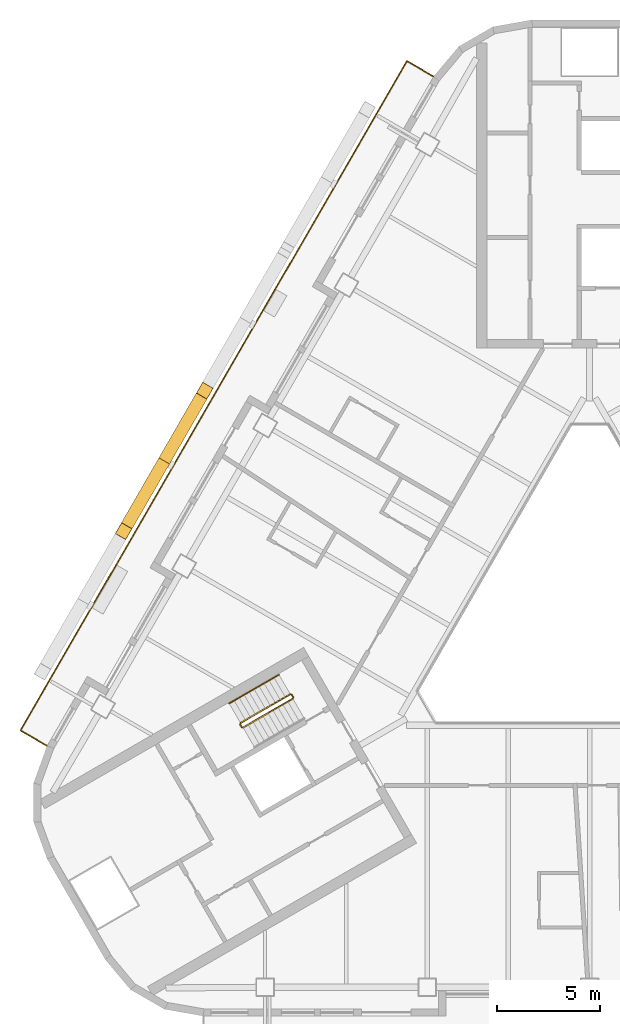
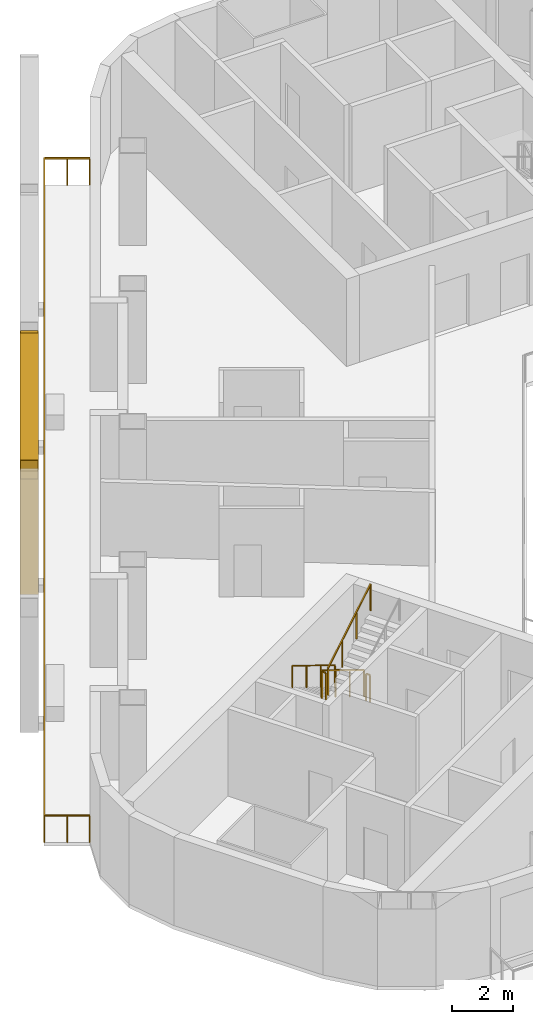
# One storey, part 10 of 14: 6 railings, 2 shading devices.
"""IFC4 building model written with IfcOpenShell, lengths in metres."""

from ifc_helpers import new_model, si_unit, direction, frame, origin, origin_2d, place, context, subcontext, project, spatial, rectangle, hollow_rectangle, circle, extrude, material, material_profile, profile_set, type_object, element, save


model = new_model("IFC4")

# Units and contexts
model_context = context("Model", 3, precision=1e-05, world=origin(), true_north=direction((0.0, 1.0)))
body_context = subcontext(model_context, "Body", "Model", "MODEL_VIEW")
ifc_project = project(units=[si_unit("LENGTHUNIT", "METRE"), si_unit("AREAUNIT", "SQUARE_METRE"), si_unit("VOLUMEUNIT", "CUBIC_METRE"), si_unit("PLANEANGLEUNIT", "RADIAN"), si_unit("MASSUNIT", "GRAM", prefix="KILO")], contexts=[model_context])

# Site, building, storey
site_placement = place(None, origin())
site = spatial("IfcSite", under=ifc_project, at=site_placement, CompositionType="ELEMENT")
building_placement = place(site_placement, origin())
building = spatial("IfcBuilding", under=site, at=building_placement, Name="Apuvela Tower Hotel", CompositionType="ELEMENT")
storey_placement = place(building_placement, frame((0.0, 0.0, 113.10009765625)))
storey = spatial("IfcBuildingStorey", under=building, at=storey_placement, Name="L26", CompositionType="ELEMENT", Elevation=113.10009765625)

# Railings
ifc_material_1 = material(Name="Steel S275 balustrade", Category="steel")
railing_type_1 = type_object("IfcRailingType", Name="COR-GUARD-1100", PredefinedType="GUARDRAIL", material=ifc_material_1)
railing_1_placement = place(storey_placement, frame((-14.569091796875, -3.9658203125, 0.16796875)))
element("IfcRailing", 1, at=railing_1_placement, inside=storey, type_object=railing_type_1, Name="L26 ST2 stair guard 1", PredefinedType="GUARDRAIL", context=body_context, shape_type="SweptSolid", body=[
    extrude(rectangle(XDim=0.048095703125, YDim=0.048095703125, at=origin_2d()), frame((0.0, 0.0, 1.076171875), z_axis=(-0.742390482028, -0.42860119049, 0.514934356695), x_axis=(0.49998411664, -0.866034573852, 0.0)), (0.0, 0.0, 1.0), 3.26611328125),
    extrude(rectangle(XDim=0.0419921875, YDim=0.0419921875, at=origin_2d()), origin(), (0.0, 0.0, 1.0), 1.052001953125),
    extrude(rectangle(XDim=0.0419921875, YDim=0.0419921875, at=origin_2d()), frame((-0.808349609375, -0.466552734375, 0.560546875)), (0.0, 0.0, 1.0), 1.052001953125),
    extrude(rectangle(XDim=0.0419921875, YDim=0.0419921875, at=origin_2d()), frame((-1.616455078125, -0.933349609375, 1.121337890625)), (0.0, 0.0, 1.0), 1.052001953125),
    extrude(rectangle(XDim=0.0419921875, YDim=0.0419921875, at=origin_2d()), frame((-2.4248046875, -1.39990234375, 1.681884765625)), (0.0, 0.0, 1.0), 1.052001953125),
])
railing_2_placement = place(storey_placement, frame((-17.01220703125, -5.43408203125, 1.849853515625)))
element("IfcRailing", 2, at=railing_2_placement, inside=storey, type_object=railing_type_1, Name="L26 ST2 stair guard 2", PredefinedType="GUARDRAIL", context=body_context, shape_type="SweptSolid", body=[
    extrude(rectangle(XDim=0.048095703125, YDim=0.048095703125, at=origin_2d()), frame((0.0, 0.0, 1.076171875), z_axis=(0.499816412211, -0.866131372301, 0.0), x_axis=(0.866131372301, 0.499816412211, 0.0)), (0.0, 0.0, 1.0), 0.14990234375),
    extrude(rectangle(XDim=0.0419921875, YDim=0.0419921875, at=origin_2d()), origin(), (0.0, 0.0, 1.0), 1.052001953125),
    extrude(rectangle(XDim=0.0419921875, YDim=0.0419921875, at=origin_2d()), frame((0.074951171875, -0.1298828125, 0.0)), (0.0, 0.0, 1.0), 1.052001953125),
])
railing_3_placement = place(storey_placement, frame((-16.868896484375, -5.582275390625, 2.01806640625)))
element("IfcRailing", 3, at=railing_3_placement, inside=storey, type_object=railing_type_1, Name="L26 ST2 stair guard 3", PredefinedType="GUARDRAIL", context=body_context, shape_type="SweptSolid", body=[
    extrude(rectangle(XDim=0.048095703125, YDim=0.048095703125, at=origin_2d()), frame((0.0, 0.0, 1.076171875), z_axis=(0.742390482028, 0.42860119049, 0.514934356695), x_axis=(-0.49998411664, 0.866034573852, 0.0)), (0.0, 0.0, 1.0), 3.26611328125),
    extrude(rectangle(XDim=0.0419921875, YDim=0.0419921875, at=origin_2d()), origin(), (0.0, 0.0, 1.0), 1.052001953125),
    extrude(rectangle(XDim=0.0419921875, YDim=0.0419921875, at=origin_2d()), frame((0.808349609375, 0.466552734375, 0.560546875)), (0.0, 0.0, 1.0), 1.052001953125),
    extrude(rectangle(XDim=0.0419921875, YDim=0.0419921875, at=origin_2d()), frame((1.616455078125, 0.933349609375, 1.121337890625)), (0.0, 0.0, 1.0), 1.052001953125),
    extrude(rectangle(XDim=0.0419921875, YDim=0.0419921875, at=origin_2d()), frame((2.4248046875, 1.39990234375, 1.681884765625)), (0.0, 0.0, 1.0), 1.052001953125),
])
railing_4_placement = place(storey_placement, frame((-14.500732421875, -3.984130859375, 0.0)))
element("IfcRailing", 4, at=railing_4_placement, inside=storey, type_object=railing_type_1, Name="L26 ST2 stair guard 4", PredefinedType="GUARDRAIL", context=body_context, shape_type="SweptSolid", body=[
    extrude(rectangle(XDim=0.048095703125, YDim=0.048095703125, at=origin_2d()), frame((0.0, 0.0, 1.076171875), z_axis=(0.499816412211, -0.866131372301, 0.0), x_axis=(0.866131372301, 0.499816412211, 0.0)), (0.0, 0.0, 1.0), 0.14990234375),
    extrude(rectangle(XDim=0.0419921875, YDim=0.0419921875, at=origin_2d()), origin(), (0.0, 0.0, 1.0), 1.052001953125),
    extrude(rectangle(XDim=0.0419921875, YDim=0.0419921875, at=origin_2d()), frame((0.074951171875, -0.1298828125, 0.0)), (0.0, 0.0, 1.0), 1.052001953125),
])
ifc_material_2 = material(Name="Stainless steel 316 handrail", Category="steel")
railing_type_2 = type_object("IfcRailingType", Name="COR-HANDRAIL-900", PredefinedType="HANDRAIL", material=ifc_material_2)
railing_5_placement = place(storey_placement, frame((-15.118896484375, -3.01318359375, 0.16796875)))
element("IfcRailing", 5, at=railing_5_placement, inside=storey, type_object=railing_type_2, Name="L26 ST2 stair handrail 1", PredefinedType="HANDRAIL", context=body_context, shape_type="SweptSolid", body=[
    extrude(circle(Radius=0.02392578125, at=origin_2d()), frame((0.0, 0.0, 0.8759765625), z_axis=(-0.742424030051, -0.428577407461, 0.514905783049), x_axis=(0.49994636267, -0.866056369097, 0.0)), (0.0, 0.0, 1.0), 3.266357421875),
    extrude(rectangle(XDim=0.0419921875, YDim=0.0419921875, at=origin_2d()), origin(), (0.0, 0.0, 1.0), 0.851806640625),
    extrude(rectangle(XDim=0.0419921875, YDim=0.0419921875, at=origin_2d()), frame((-0.808349609375, -0.466552734375, 0.560546875)), (0.0, 0.0, 1.0), 0.851806640625),
    extrude(rectangle(XDim=0.0419921875, YDim=0.0419921875, at=origin_2d()), frame((-1.61669921875, -0.933349609375, 1.121337890625)), (0.0, 0.0, 1.0), 0.851806640625),
    extrude(rectangle(XDim=0.0419921875, YDim=0.0419921875, at=origin_2d()), frame((-2.425048828125, -1.39990234375, 1.681884765625)), (0.0, 0.0, 1.0), 0.851806640625),
])

# Shading devices
ifc_material_3 = material(Name="Aluminium 6063-T6, black anodised", Category="aluminium")
ifc_material_profile = material_profile(ifc_material_3, hollow_rectangle(XDim=0.60009765625, YDim=0.699951171875, WallThickness=0.011962890625, at=origin_2d()), Name="AL BOX 700x600x12")
ifc_profile_set = profile_set([ifc_material_profile], Name="Aluminium 6063-T6, black anodised")
shading_device_type = type_object("IfcShadingDeviceType", Name="ENV-FIN-700x600", PredefinedType="USERDEFINED", material=ifc_profile_set)
shading_device_1_placement = place(storey_placement, frame((-20.70703125, 7.394287109375, -0.10009765625), z_axis=(0.235436388043, 0.407800622186, 0.882195193667), x_axis=(-0.866032218625, 0.499988196164, 0.0)))
element("IfcShadingDevice", 6, at=shading_device_1_placement, inside=storey, type_object=shading_device_type, Name="Lattice fin NW269", ObjectType="FIN", PredefinedType="USERDEFINED", context=body_context, shape_type="SweptSolid", body=[
    extrude(hollow_rectangle(XDim=0.60009765625, YDim=0.699951171875, WallThickness=0.011962890625, at=origin_2d()), origin(), (0.0, 0.0, 1.0), 8.387939453125),
])
shading_device_2_placement = place(storey_placement, frame((-20.70703125, 7.394287109375, -0.10009765625), z_axis=(-0.235461085354, -0.407822092458, 0.882178677019), x_axis=(0.866020906874, -0.500007788796, 0.0)))
element("IfcShadingDevice", 7, at=shading_device_2_placement, inside=storey, type_object=shading_device_type, Name="Lattice fin NW270", ObjectType="FIN", PredefinedType="USERDEFINED", context=body_context, shape_type="SweptSolid", body=[
    extrude(hollow_rectangle(XDim=0.60009765625, YDim=0.699951171875, WallThickness=0.011962890625, at=origin_2d()), origin(), (0.0, 0.0, 1.0), 8.38818359375),
])

# Railing
ifc_material_4 = material(Name="Stainless steel 316 rail with laminated glass infill", Category="steel")
railing_type_3 = type_object("IfcRailingType", Name="ENV-GUARD-1100", PredefinedType="GUARDRAIL", material=ifc_material_4)
railing_6_placement = place(storey_placement, frame((-7.59228515625, 26.110107421875, 0.0)))
element("IfcRailing", 8, at=railing_6_placement, inside=storey, type_object=railing_type_3, Name="Balcony guard NW L26", PredefinedType="GUARDRAIL", context=body_context, shape_type="SweptSolid", body=[
    extrude(rectangle(XDim=0.050048828125, YDim=0.050048828125, at=origin_2d()), frame((0.0, 0.0, 1.0751953125), z_axis=(-0.86599040064, 0.500060622324, 0.0), x_axis=(-0.500060622324, -0.86599040064, 0.0)), (0.0, 0.0, 1.0), 1.499755859375),
    extrude(rectangle(XDim=0.050048828125, YDim=0.050048828125, at=origin_2d()), frame((-1.298828125, 0.75, 1.0751953125), z_axis=(-0.500000437506, -0.86602515119, 0.0), x_axis=(0.86602515119, -0.500000437506, 0.0)), (0.0, 0.0, 1.0), 37.6318359375),
    extrude(rectangle(XDim=0.050048828125, YDim=0.050048828125, at=origin_2d()), frame((-20.11474609375, -31.840087890625, 1.0751953125), z_axis=(0.866031096941, -0.499990139034, 0.0), x_axis=(0.499990139034, 0.866031096941, 0.0)), (0.0, 0.0, 1.0), 1.5),
    extrude(rectangle(XDim=0.0400390625, YDim=0.0400390625, at=origin_2d()), origin(), (0.0, 0.0, 1.0), 1.050048828125),
    extrude(rectangle(XDim=0.0400390625, YDim=0.0400390625, at=origin_2d()), frame((-0.6494140625, 0.375, 0.0)), (0.0, 0.0, 1.0), 1.050048828125),
    extrude(rectangle(XDim=0.0400390625, YDim=0.0400390625, at=origin_2d()), frame((-1.298828125, 0.75, 0.0)), (0.0, 0.0, 1.0), 1.050048828125),
    extrude(rectangle(XDim=0.0400390625, YDim=0.0400390625, at=origin_2d()), frame((-1.88671875, -0.2685546875, 0.0)), (0.0, 0.0, 1.0), 1.050048828125),
    extrude(rectangle(XDim=0.0400390625, YDim=0.0400390625, at=origin_2d()), frame((-2.474853515625, -1.286865234375, 0.0)), (0.0, 0.0, 1.0), 1.050048828125),
    extrude(rectangle(XDim=0.0400390625, YDim=0.0400390625, at=origin_2d()), frame((-3.062744140625, -2.305419921875, 0.0)), (0.0, 0.0, 1.0), 1.050048828125),
    extrude(rectangle(XDim=0.0400390625, YDim=0.0400390625, at=origin_2d()), frame((-3.65087890625, -3.32373046875, 0.0)), (0.0, 0.0, 1.0), 1.050048828125),
    extrude(rectangle(XDim=0.0400390625, YDim=0.0400390625, at=origin_2d()), frame((-4.23876953125, -4.34228515625, 0.0)), (0.0, 0.0, 1.0), 1.050048828125),
    extrude(rectangle(XDim=0.0400390625, YDim=0.0400390625, at=origin_2d()), frame((-4.826904296875, -5.360595703125, 0.0)), (0.0, 0.0, 1.0), 1.050048828125),
    extrude(rectangle(XDim=0.0400390625, YDim=0.0400390625, at=origin_2d()), frame((-5.414794921875, -6.379150390625, 0.0)), (0.0, 0.0, 1.0), 1.050048828125),
    extrude(rectangle(XDim=0.0400390625, YDim=0.0400390625, at=origin_2d()), frame((-6.0029296875, -7.3974609375, 0.0)), (0.0, 0.0, 1.0), 1.050048828125),
    extrude(rectangle(XDim=0.0400390625, YDim=0.0400390625, at=origin_2d()), frame((-6.5908203125, -8.416015625, 0.0)), (0.0, 0.0, 1.0), 1.050048828125),
    extrude(rectangle(XDim=0.0400390625, YDim=0.0400390625, at=origin_2d()), frame((-7.1787109375, -9.434326171875, 0.0)), (0.0, 0.0, 1.0), 1.050048828125),
    extrude(rectangle(XDim=0.0400390625, YDim=0.0400390625, at=origin_2d()), frame((-7.766845703125, -10.452880859375, 0.0)), (0.0, 0.0, 1.0), 1.050048828125),
    extrude(rectangle(XDim=0.0400390625, YDim=0.0400390625, at=origin_2d()), frame((-8.354736328125, -11.47119140625, 0.0)), (0.0, 0.0, 1.0), 1.050048828125),
    extrude(rectangle(XDim=0.0400390625, YDim=0.0400390625, at=origin_2d()), frame((-8.94287109375, -12.48974609375, 0.0)), (0.0, 0.0, 1.0), 1.050048828125),
    extrude(rectangle(XDim=0.0400390625, YDim=0.0400390625, at=origin_2d()), frame((-9.53076171875, -13.508056640625, 0.0)), (0.0, 0.0, 1.0), 1.050048828125),
    extrude(rectangle(XDim=0.0400390625, YDim=0.0400390625, at=origin_2d()), frame((-10.118896484375, -14.526611328125, 0.0)), (0.0, 0.0, 1.0), 1.050048828125),
    extrude(rectangle(XDim=0.0400390625, YDim=0.0400390625, at=origin_2d()), frame((-10.706787109375, -15.544921875, 0.0)), (0.0, 0.0, 1.0), 1.050048828125),
    extrude(rectangle(XDim=0.0400390625, YDim=0.0400390625, at=origin_2d()), frame((-11.294677734375, -16.5634765625, 0.0)), (0.0, 0.0, 1.0), 1.050048828125),
    extrude(rectangle(XDim=0.0400390625, YDim=0.0400390625, at=origin_2d()), frame((-11.8828125, -17.58203125, 0.0)), (0.0, 0.0, 1.0), 1.050048828125),
    extrude(rectangle(XDim=0.0400390625, YDim=0.0400390625, at=origin_2d()), frame((-12.470703125, -18.600341796875, 0.0)), (0.0, 0.0, 1.0), 1.050048828125),
    extrude(rectangle(XDim=0.0400390625, YDim=0.0400390625, at=origin_2d()), frame((-13.058837890625, -19.618896484375, 0.0)), (0.0, 0.0, 1.0), 1.050048828125),
    extrude(rectangle(XDim=0.0400390625, YDim=0.0400390625, at=origin_2d()), frame((-13.646728515625, -20.63720703125, 0.0)), (0.0, 0.0, 1.0), 1.050048828125),
    extrude(rectangle(XDim=0.0400390625, YDim=0.0400390625, at=origin_2d()), frame((-14.23486328125, -21.65576171875, 0.0)), (0.0, 0.0, 1.0), 1.050048828125),
    extrude(rectangle(XDim=0.0400390625, YDim=0.0400390625, at=origin_2d()), frame((-14.82275390625, -22.674072265625, 0.0)), (0.0, 0.0, 1.0), 1.050048828125),
    extrude(rectangle(XDim=0.0400390625, YDim=0.0400390625, at=origin_2d()), frame((-15.41064453125, -23.692626953125, 0.0)), (0.0, 0.0, 1.0), 1.050048828125),
    extrude(rectangle(XDim=0.0400390625, YDim=0.0400390625, at=origin_2d()), frame((-15.998779296875, -24.7109375, 0.0)), (0.0, 0.0, 1.0), 1.050048828125),
    extrude(rectangle(XDim=0.0400390625, YDim=0.0400390625, at=origin_2d()), frame((-16.586669921875, -25.7294921875, 0.0)), (0.0, 0.0, 1.0), 1.050048828125),
    extrude(rectangle(XDim=0.0400390625, YDim=0.0400390625, at=origin_2d()), frame((-17.1748046875, -26.747802734375, 0.0)), (0.0, 0.0, 1.0), 1.050048828125),
    extrude(rectangle(XDim=0.0400390625, YDim=0.0400390625, at=origin_2d()), frame((-17.7626953125, -27.766357421875, 0.0)), (0.0, 0.0, 1.0), 1.050048828125),
    extrude(rectangle(XDim=0.0400390625, YDim=0.0400390625, at=origin_2d()), frame((-18.350830078125, -28.78466796875, 0.0)), (0.0, 0.0, 1.0), 1.050048828125),
    extrude(rectangle(XDim=0.0400390625, YDim=0.0400390625, at=origin_2d()), frame((-18.938720703125, -29.80322265625, 0.0)), (0.0, 0.0, 1.0), 1.050048828125),
    extrude(rectangle(XDim=0.0400390625, YDim=0.0400390625, at=origin_2d()), frame((-19.52685546875, -30.821533203125, 0.0)), (0.0, 0.0, 1.0), 1.050048828125),
    extrude(rectangle(XDim=0.0400390625, YDim=0.0400390625, at=origin_2d()), frame((-20.11474609375, -31.840087890625, 0.0)), (0.0, 0.0, 1.0), 1.050048828125),
    extrude(rectangle(XDim=0.0400390625, YDim=0.0400390625, at=origin_2d()), frame((-19.46533203125, -32.215087890625, 0.0)), (0.0, 0.0, 1.0), 1.050048828125),
    extrude(rectangle(XDim=0.0400390625, YDim=0.0400390625, at=origin_2d()), frame((-18.815673828125, -32.590087890625, 0.0)), (0.0, 0.0, 1.0), 1.050048828125),
])

save(model, "model.ifc")
